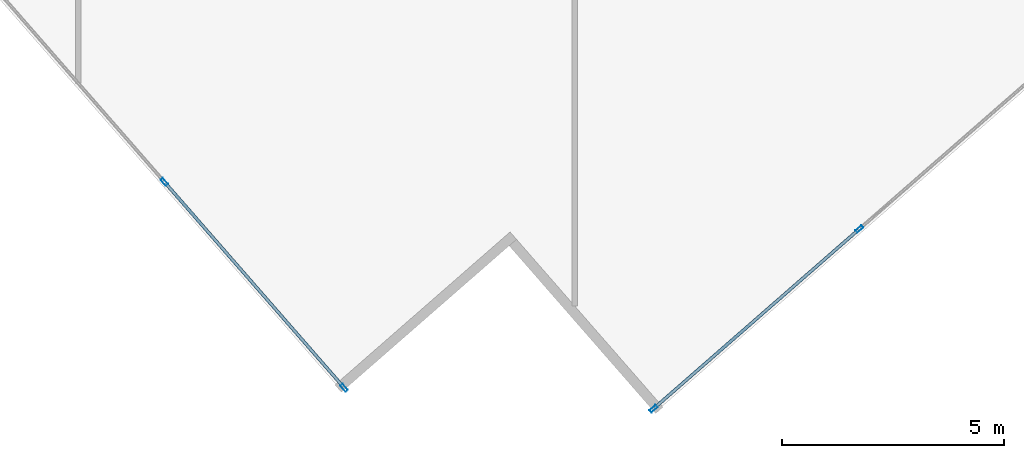
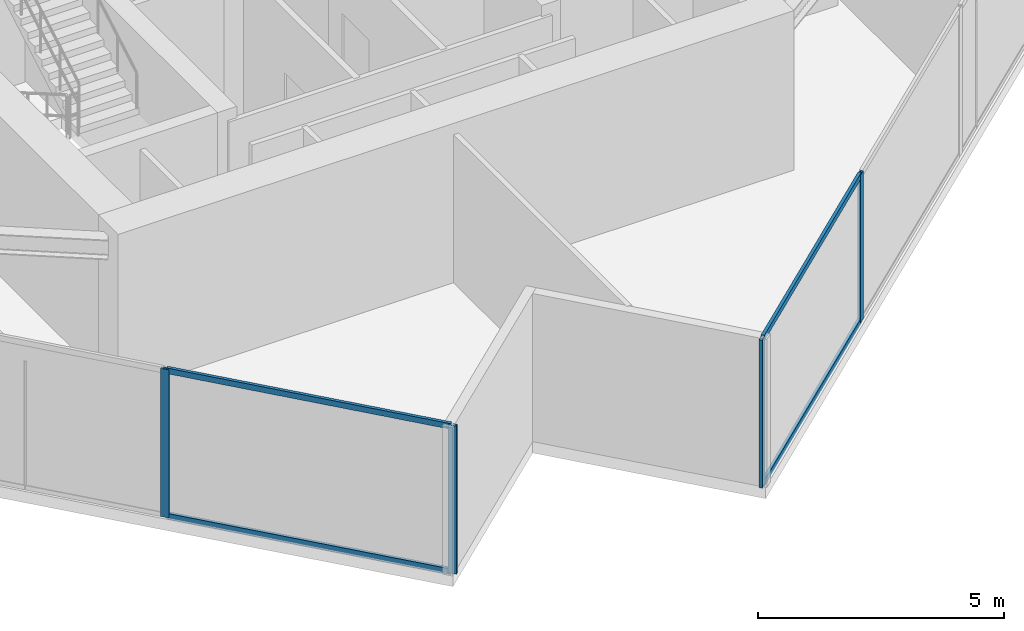
# One storey, part 3 of 24: 8 members, 2 elements without a shape of their own.
"""IFC4 building model written with IfcOpenShell, lengths in metres."""

from ifc_helpers import new_model, si_unit, direction, frame, origin, origin_2d, place, context, subcontext, project, spatial, hollow_rectangle, extrude, source, transform, mapped, material, material_profile, profile_set, type_object, type_shapes, element, aggregate, save


model = new_model("IFC4")

# Units and contexts
model_context = context("Model", 3, precision=1e-05, world=origin(), true_north=direction((0.0, 1.0)))
body_context = subcontext(model_context, "Body", "Model", "MODEL_VIEW")
ifc_project = project(units=[si_unit("LENGTHUNIT", "METRE"), si_unit("AREAUNIT", "SQUARE_METRE"), si_unit("VOLUMEUNIT", "CUBIC_METRE"), si_unit("PLANEANGLEUNIT", "RADIAN"), si_unit("MASSUNIT", "GRAM", prefix="KILO")], contexts=[model_context])

# Site, building, storey
site_placement = place(None, origin())
site = spatial("IfcSite", under=ifc_project, at=site_placement, CompositionType="ELEMENT")
building_placement = place(site_placement, origin())
building = spatial("IfcBuilding", under=site, at=building_placement, Name="Krantzveldt Concourse Tower", CompositionType="ELEMENT")
storey_placement = place(building_placement, frame((0.0, 0.0, 250.75)))
storey = spatial("IfcBuildingStorey", under=building, at=storey_placement, Name="L61", CompositionType="ELEMENT", Elevation=250.75)

# Curtain wall, members
ifc_material = material(Name="Anodised aluminium 6063-T6", Category="aluminium")
curtain_wall_type = type_object("IfcCurtainWallType", Name="CW3", PredefinedType="USERDEFINED", material=ifc_material)
curtain_wall_1_placement = place(storey_placement, origin())
curtain_wall_1 = element("IfcCurtainWall", 1, at=curtain_wall_1_placement, inside=storey, type_object=curtain_wall_type, Name="CW-L61-F04", ObjectType="UNITISED CURTAIN WALL", PredefinedType="USERDEFINED")
ifc_material_profile_1 = material_profile(ifc_material, hollow_rectangle(XDim=0.070068359375, YDim=0.179931640625, WallThickness=0.0048828125, at=origin_2d()), Name="Anodised aluminium 6063-T6", Category="aluminium")
ifc_profile_set_1 = profile_set([ifc_material_profile_1], Name="Anodised aluminium 6063-T6 - ALU-MULL 180x70x5")
member_type_1 = type_object("IfcMemberType", Name="CW-MUL-180", PredefinedType="MULLION", material=ifc_profile_set_1)
shared_shape_1 = source(origin(), body_context, "Body", "SweptSolid", [
    extrude(hollow_rectangle(XDim=0.070068359375, YDim=0.179931640625, WallThickness=0.0048828125, at=origin_2d()), origin(), (0.0, 0.0, 1.0), 3.669921875),
])
type_shapes(member_type_1, [shared_shape_1])
member_1_placement = place(storey_placement, frame((26.7421875, 6.270751953125, 0.0), z_axis=(0.0, 0.0, 1.0), x_axis=(0.753276529034, 0.657703938567, 0.0)))
member_1 = element("IfcMember", 2, at=member_1_placement, type_object=member_type_1, Name="CW-Z34 mullion 5", PredefinedType="MULLION", context=body_context, shape_type="MappedRepresentation", body=[
    mapped(shared_shape_1, transform((0.0, 0.0, 0.0), x_axis=(1.0, 0.0, 0.0), y_axis=(0.0, 1.0, 0.0), z_axis=(0.0, 0.0, 1.0), scale=1.0)),
])
member_2_placement = place(storey_placement, frame((30.797119140625, 1.626953125, 0.0), z_axis=(0.0, 0.0, 1.0), x_axis=(0.753276529034, 0.657703938567, 0.0)))
member_2 = element("IfcMember", 3, at=member_2_placement, type_object=member_type_1, Name="CW-Z34 mullion 6", PredefinedType="MULLION", context=body_context, shape_type="MappedRepresentation", body=[
    mapped(shared_shape_1, transform((0.0, 0.0, 0.0), x_axis=(1.0, 0.0, 0.0), y_axis=(0.0, 1.0, 0.0), z_axis=(0.0, 0.0, 1.0), scale=1.0)),
])

curtain_wall_2_placement = place(storey_placement, origin())
curtain_wall_2 = element("IfcCurtainWall", 4, at=curtain_wall_2_placement, inside=storey, type_object=curtain_wall_type, Name="CW-L61-F07", ObjectType="UNITISED CURTAIN WALL", PredefinedType="USERDEFINED")
member_3_placement = place(storey_placement, frame((37.7744140625, 1.154296875, 0.0), z_axis=(0.0, 0.0, 1.0), x_axis=(-0.657703938567, 0.753276529034, 0.0)))
member_3 = element("IfcMember", 5, at=member_3_placement, type_object=member_type_1, Name="CW-Z34 mullion 1", PredefinedType="MULLION", context=body_context, shape_type="MappedRepresentation", body=[
    mapped(shared_shape_1, transform((0.0, 0.0, 0.0), x_axis=(1.0, 0.0, 0.0), y_axis=(0.0, 1.0, 0.0), z_axis=(0.0, 0.0, 1.0), scale=1.0)),
])
member_4_placement = place(storey_placement, frame((42.418212890625, 5.208984375, 0.0), z_axis=(0.0, 0.0, 1.0), x_axis=(-0.657703938567, 0.753276529034, 0.0)))
member_4 = element("IfcMember", 6, at=member_4_placement, type_object=member_type_1, Name="CW-Z34 mullion 2", PredefinedType="MULLION", context=body_context, shape_type="MappedRepresentation", body=[
    mapped(shared_shape_1, transform((0.0, 0.0, 0.0), x_axis=(1.0, 0.0, 0.0), y_axis=(0.0, 1.0, 0.0), z_axis=(0.0, 0.0, 1.0), scale=1.0)),
])
ifc_material_profile_2 = material_profile(ifc_material, hollow_rectangle(XDim=0.070068359375, YDim=0.139892578125, WallThickness=0.0048828125, at=origin_2d()), Name="Anodised aluminium 6063-T6", Category="aluminium")
ifc_profile_set_2 = profile_set([ifc_material_profile_2], Name="Anodised aluminium 6063-T6 - ALU-TRAN 140x70x5")
member_type_2 = type_object("IfcMemberType", Name="CW-TRN-150", PredefinedType="USERDEFINED", material=ifc_profile_set_2)
shared_shape_2 = source(origin(), body_context, "Body", "SweptSolid", [
    extrude(hollow_rectangle(XDim=0.070068359375, YDim=0.139892578125, WallThickness=0.0048828125, at=origin_2d()), origin(), (0.0, 0.0, 1.0), 6.094970703125),
])
member_5_placement = place(storey_placement, frame((37.80078125, 1.17724609375, 0.034912109375), z_axis=(0.753258665615, 0.657724397203, 0.0), x_axis=(-0.657724397203, 0.753258665615, 0.0)))
member_5 = element("IfcMember", 7, at=member_5_placement, type_object=member_type_2, Name="CW-Z34 transom 1.1", ObjectType="TRANSOM", PredefinedType="USERDEFINED", context=body_context, shape_type="MappedRepresentation", body=[
    mapped(shared_shape_2, transform((0.0, 0.0, 0.0), x_axis=(1.0, 0.0, 0.0), y_axis=(0.0, 1.0, 0.0), z_axis=(0.0, 0.0, 1.0), scale=1.0)),
])
member_6_placement = place(storey_placement, frame((37.80078125, 1.17724609375, 3.635009765625), z_axis=(0.753258665615, 0.657724397203, 0.0), x_axis=(-0.657724397203, 0.753258665615, 0.0)))
member_6 = element("IfcMember", 8, at=member_6_placement, type_object=member_type_2, Name="CW-Z34 transom 1.2", ObjectType="TRANSOM", PredefinedType="USERDEFINED", context=body_context, shape_type="MappedRepresentation", body=[
    mapped(shared_shape_2, transform((0.0, 0.0, 0.0), x_axis=(1.0, 0.0, 0.0), y_axis=(0.0, 1.0, 0.0), z_axis=(0.0, 0.0, 1.0), scale=1.0)),
])
aggregate(curtain_wall_2, [member_3, member_4, member_5, member_6])

# Member
shared_shape_3 = source(origin(), body_context, "Body", "SweptSolid", [
    extrude(hollow_rectangle(XDim=0.070068359375, YDim=0.139892578125, WallThickness=0.0048828125, at=origin_2d()), origin(), (0.0, 0.0, 1.0), 6.0947265625),
])
type_shapes(member_type_2, [shared_shape_2, shared_shape_3])
member_7_placement = place(storey_placement, frame((26.765380859375, 6.244384765625, 0.034912109375), z_axis=(0.657701668417, -0.753278511151, 0.0), x_axis=(0.753278511151, 0.657701668417, 0.0)))
member_7 = element("IfcMember", 9, at=member_7_placement, type_object=member_type_2, Name="CW-Z34 transom 5.1", ObjectType="TRANSOM", PredefinedType="USERDEFINED", context=body_context, shape_type="MappedRepresentation", body=[
    mapped(shared_shape_3, transform((0.0, 0.0, 0.0), x_axis=(1.0, 0.0, 0.0), y_axis=(0.0, 1.0, 0.0), z_axis=(0.0, 0.0, 1.0), scale=1.0)),
])

member_8_placement = place(storey_placement, frame((26.765380859375, 6.244384765625, 3.635009765625), z_axis=(0.657701668417, -0.753278511151, 0.0), x_axis=(0.753278511151, 0.657701668417, 0.0)))
member_8 = element("IfcMember", 10, at=member_8_placement, type_object=member_type_2, Name="CW-Z34 transom 5.2", ObjectType="TRANSOM", PredefinedType="USERDEFINED", context=body_context, shape_type="MappedRepresentation", body=[
    mapped(shared_shape_3, transform((0.0, 0.0, 0.0), x_axis=(1.0, 0.0, 0.0), y_axis=(0.0, 1.0, 0.0), z_axis=(0.0, 0.0, 1.0), scale=1.0)),
])

aggregate(curtain_wall_1, [member_1, member_2, member_7, member_8])

save(model, "model.ifc")
